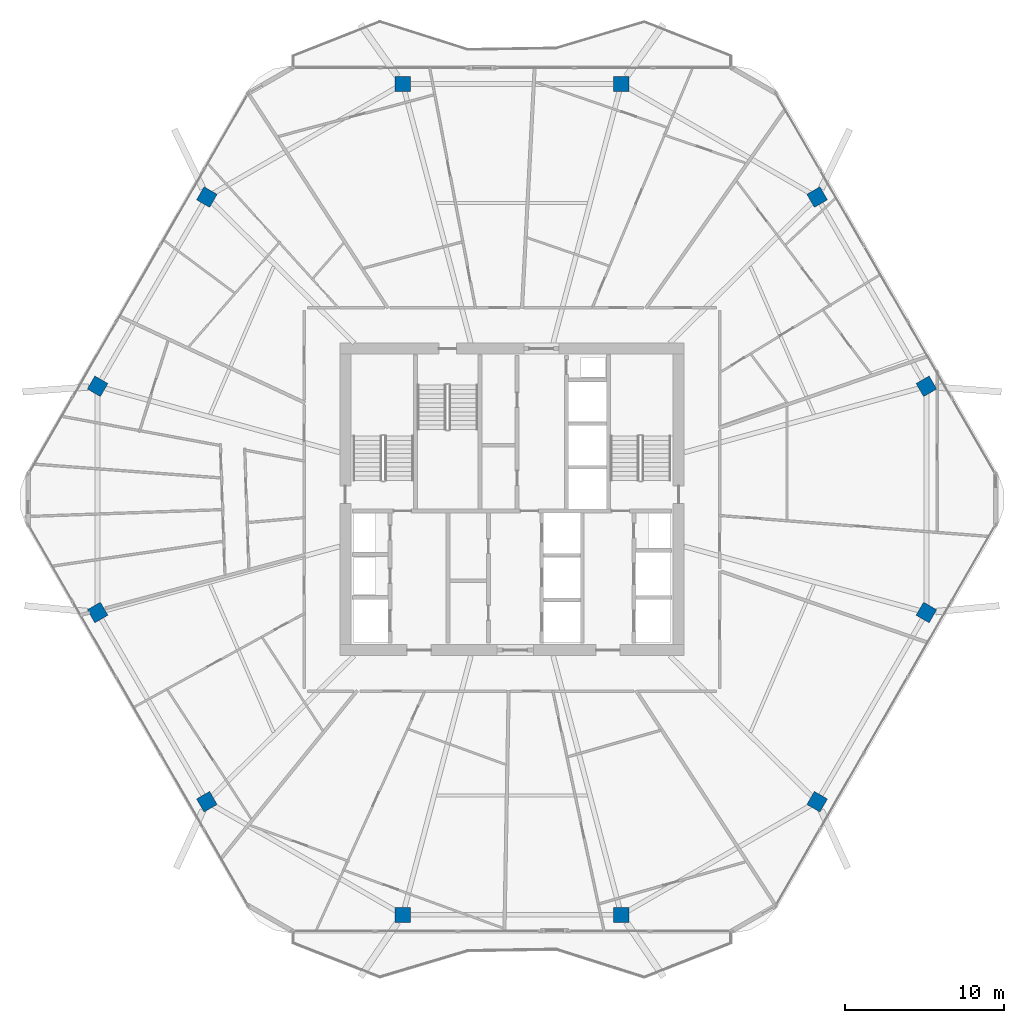
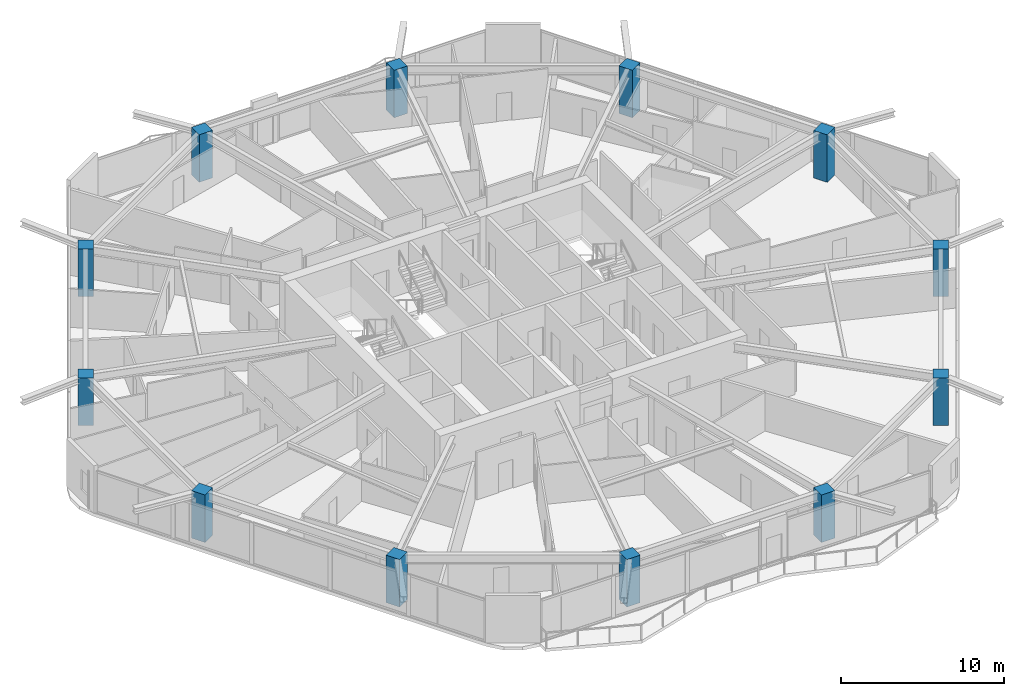
# One storey, part 1 of 27: 12 columns.
"""IFC4 building model written with IfcOpenShell, lengths in metres."""

from ifc_helpers import new_model, si_unit, direction, frame, origin, origin_2d, place, context, subcontext, project, spatial, rectangle, extrude, material, material_profile, profile_set, type_object, element, save


model = new_model("IFC4")

# Units and contexts
model_context = context("Model", 3, precision=1e-05, world=origin(), true_north=direction((0.0, 1.0)))
body_context = subcontext(model_context, "Body", "Model", "MODEL_VIEW")
ifc_project = project(units=[si_unit("LENGTHUNIT", "METRE"), si_unit("AREAUNIT", "SQUARE_METRE"), si_unit("VOLUMEUNIT", "CUBIC_METRE"), si_unit("PLANEANGLEUNIT", "RADIAN"), si_unit("MASSUNIT", "GRAM", prefix="KILO")], contexts=[model_context])

# Site, building, storey
site_placement = place(None, origin())
site = spatial("IfcSite", under=ifc_project, at=site_placement, CompositionType="ELEMENT")
building_placement = place(site_placement, origin())
building = spatial("IfcBuilding", under=site, at=building_placement, Name="Zuhravey Tower", CompositionType="ELEMENT")
storey_placement = place(building_placement, frame((0.0, 0.0, 218.800048828125)))
storey = spatial("IfcBuildingStorey", under=building, at=storey_placement, Name="L55", CompositionType="ELEMENT", Elevation=218.800048828125)

# Columns
ifc_material = material(Name="Concrete C50/60", Category="concrete")
ifc_material_profile = material_profile(ifc_material, rectangle(XDim=0.949951171875, YDim=0.949951171875, at=origin_2d()), Name="RC-950x950")
ifc_profile_set = profile_set([ifc_material_profile], Name="Concrete C50/60")
column_type = type_object("IfcColumnType", Name="Zone 2 Upper Column 950x950", PredefinedType="COLUMN", material=ifc_profile_set)
for number, where, z_axis, x_axis, name in (
    (1, (62.107666015625, 39.12646484375, 0.0), (0.0, 0.0, 1.0), (-0.5, 0.866025403784, 0.0), "L55 Perimeter Column PC01"),
    (2, (55.2255859375, 51.046630859375, 0.0), (0.0, 0.0, 1.0), (-0.5, 0.866025403784, 0.0), "L55 Perimeter Column PC02"),
    (3, (42.882080078125, 58.173095703125, 0.0), (0.0, 0.0, 1.0), (-1.0, 0.0, 0.0), "L55 Perimeter Column PC03"),
    (4, (29.117919921875, 58.173095703125, 0.0), (0.0, 0.0, 1.0), (-1.0, 0.0, 0.0), "L55 Perimeter Column PC04"),
    (5, (16.7744140625, 51.046630859375, 0.0), (0.0, 0.0, 1.0), (-0.5, -0.866025403784, 0.0), "L55 Perimeter Column PC05"),
    (6, (9.892333984375, 39.12646484375, 0.0), (0.0, 0.0, 1.0), (-0.5, -0.866025403784, 0.0), "L55 Perimeter Column PC06"),
    (7, (9.892333984375, 24.87353515625, 0.0), (0.0, 0.0, 1.0), (0.5, -0.866025403784, 0.0), "L55 Perimeter Column PC07"),
    (8, (16.7744140625, 12.953369140625, 0.0), (0.0, 0.0, 1.0), (0.5, -0.866025403784, 0.0), "L55 Perimeter Column PC08"),
    (9, (29.117919921875, 5.826904296875, 0.0), (0.0, 0.0, 1.0), (1.0, 0.0, 0.0), "L55 Perimeter Column PC09"),
    (10, (42.882080078125, 5.826904296875, 0.0), (0.0, 0.0, 1.0), (1.0, 0.0, 0.0), "L55 Perimeter Column PC10"),
    (11, (55.2255859375, 12.953369140625, 0.0), (0.0, 0.0, 1.0), (0.5, 0.866025403784, 0.0), "L55 Perimeter Column PC11"),
    (12, (62.107666015625, 24.87353515625, 0.0), (0.0, 0.0, 1.0), (0.5, 0.866025403784, 0.0), "L55 Perimeter Column PC12"),
):
    element("IfcColumn", number, at=place(storey_placement, frame(where, z_axis=z_axis, x_axis=x_axis)), inside=storey, type_object=column_type, Name=name, PredefinedType="COLUMN", context=body_context, shape_type="SweptSolid", body=[
        extrude(rectangle(XDim=0.949951171875, YDim=0.949951171875, at=origin_2d()), origin(), (0.0, 0.0, 1.0), 3.550048828125),
    ])

save(model, "model.ifc")
